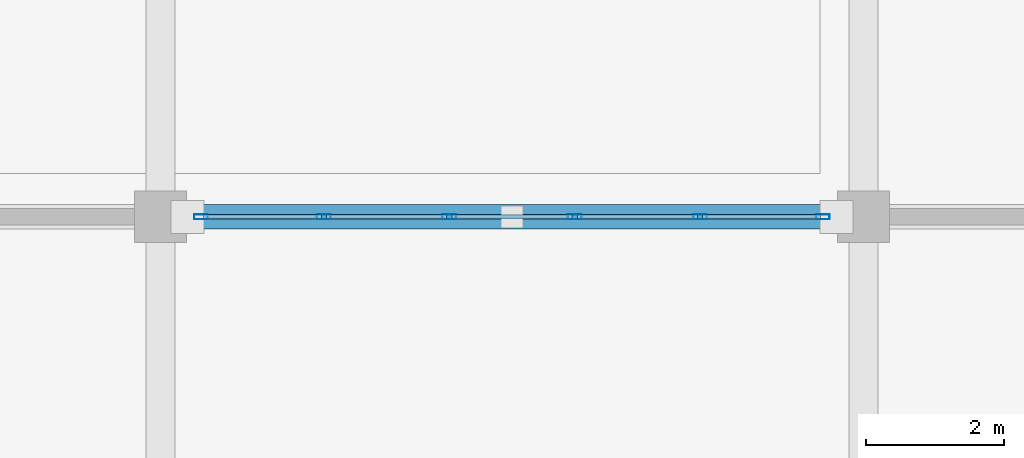
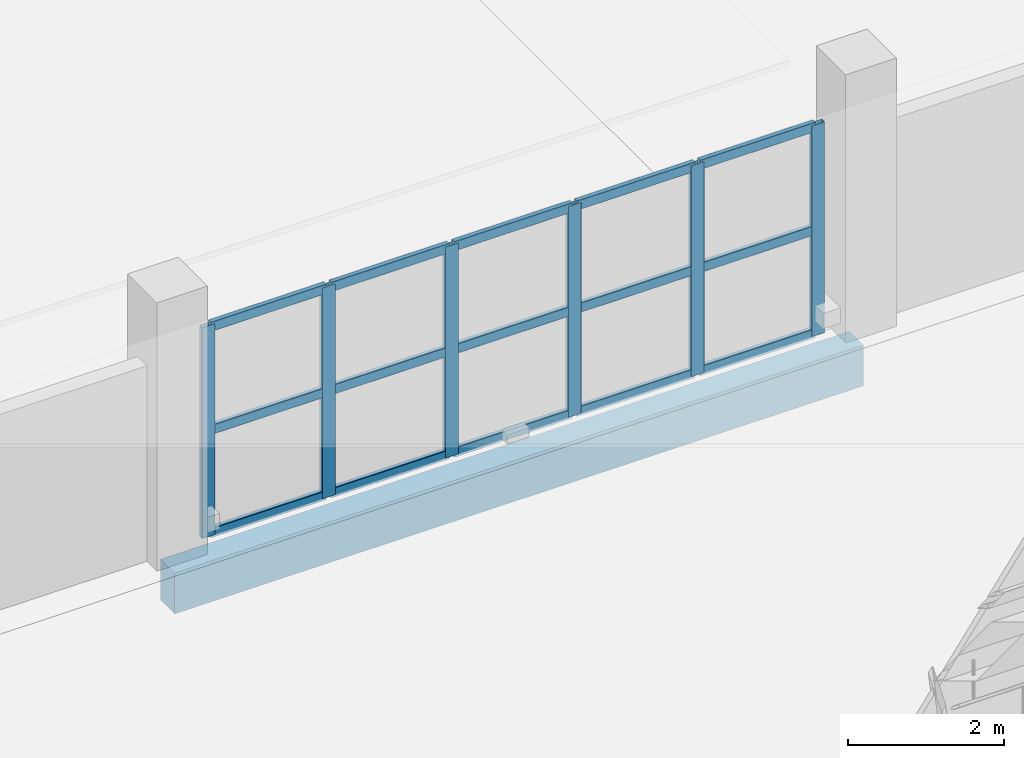
# One storey, part 44 of 157: 21 members, 1 beam, 1 element without a shape of its own.
"""IFC4 building model written with IfcOpenShell, lengths in metres."""

from ifc_helpers import new_model, si_unit, direction, frame, origin, origin_2d, place, context, subcontext, project, spatial, rectangle, hollow_rectangle, extrude, material, material_profile, profile_set, type_object, element, aggregate, save


model = new_model("IFC4")

# Units and contexts
model_context = context("Model", 3, precision=1e-05, world=origin(), true_north=direction((0.0, 1.0)))
body_context = subcontext(model_context, "Body", "Model", "MODEL_VIEW")
ifc_project = project(units=[si_unit("LENGTHUNIT", "METRE"), si_unit("AREAUNIT", "SQUARE_METRE"), si_unit("VOLUMEUNIT", "CUBIC_METRE"), si_unit("PLANEANGLEUNIT", "RADIAN"), si_unit("MASSUNIT", "GRAM", prefix="KILO")], contexts=[model_context])

# Site, building, storey
site_placement = place(None, origin())
site = spatial("IfcSite", under=ifc_project, at=site_placement, CompositionType="ELEMENT")
building_placement = place(site_placement, origin())
building = spatial("IfcBuilding", under=site, at=building_placement, Name="Brelvane Convention Centre", CompositionType="ELEMENT")
storey_placement = place(building_placement, frame((0.0, 0.0, 10.800048828125)))
storey = spatial("IfcBuildingStorey", under=building, at=storey_placement, Name="L02", CompositionType="ELEMENT", Elevation=10.800048828125)

# Curtain wall, members
ifc_material_1 = material(Name="Anodised Aluminium Alloy 6063-T6", Category="aluminium")
curtain_wall_type = type_object("IfcCurtainWallType", Name="Curtain Wall CW-COURT", PredefinedType="USERDEFINED", material=ifc_material_1)
curtain_wall_placement = place(storey_placement, origin())
curtain_wall = element("IfcCurtainWall", 1, at=curtain_wall_placement, inside=storey, type_object=curtain_wall_type, Name="Curtain Wall CW-COURT L02-V4S-09", ObjectType="UNITISED", PredefinedType="USERDEFINED")
ifc_material_2 = material(Name="Anodised Aluminium Alloy 6063-T6", Category="aluminium")
ifc_material_profile_1 = material_profile(ifc_material_2, hollow_rectangle(XDim=0.074951171875, YDim=0.199951171875, WallThickness=0.0048828125, InnerFilletRadius=0.0048828125, OuterFilletRadius=0.010009765625, at=origin_2d()), Name="ALU-M 200x75x5.0")
ifc_profile_set_1 = profile_set([ifc_material_profile_1], Name="Anodised Aluminium Alloy 6063-T6")
member_type_1 = type_object("IfcMemberType", Name="Curtain Mullion CW-M2", PredefinedType="MULLION", material=ifc_profile_set_1)
member_1_placement = place(storey_placement, frame((82.1875, 109.199951171875, 0.0), z_axis=(0.0, 0.0, 1.0), x_axis=(0.0, 1.0, 0.0)))
member_1 = element("IfcMember", 2, at=member_1_placement, type_object=member_type_1, Name="CW-COURT mullion 1", PredefinedType="MULLION", context=body_context, shape_type="SweptSolid", body=[
    extrude(hollow_rectangle(XDim=0.074951171875, YDim=0.199951171875, WallThickness=0.0048828125, InnerFilletRadius=0.0048828125, OuterFilletRadius=0.010009765625, at=origin_2d()), origin(), (0.0, 0.0, 1.0), 3.300048828125),
])
member_2_placement = place(storey_placement, frame((83.969970703125, 109.199951171875, 0.0), z_axis=(0.0, 0.0, 1.0), x_axis=(0.0, 1.0, 0.0)))
member_2 = element("IfcMember", 3, at=member_2_placement, type_object=member_type_1, Name="CW-COURT mullion 2", PredefinedType="MULLION", context=body_context, shape_type="SweptSolid", body=[
    extrude(hollow_rectangle(XDim=0.074951171875, YDim=0.199951171875, WallThickness=0.0048828125, InnerFilletRadius=0.0048828125, OuterFilletRadius=0.010009765625, at=origin_2d()), origin(), (0.0, 0.0, 1.0), 3.300048828125),
])
member_3_placement = place(storey_placement, frame((85.7900390625, 109.199951171875, 0.0), z_axis=(0.0, 0.0, 1.0), x_axis=(0.0, 1.0, 0.0)))
member_3 = element("IfcMember", 4, at=member_3_placement, type_object=member_type_1, Name="CW-COURT mullion 3", PredefinedType="MULLION", context=body_context, shape_type="SweptSolid", body=[
    extrude(hollow_rectangle(XDim=0.074951171875, YDim=0.199951171875, WallThickness=0.0048828125, InnerFilletRadius=0.0048828125, OuterFilletRadius=0.010009765625, at=origin_2d()), origin(), (0.0, 0.0, 1.0), 3.300048828125),
])
member_4_placement = place(storey_placement, frame((87.610107421875, 109.199951171875, 0.0), z_axis=(0.0, 0.0, 1.0), x_axis=(0.0, 1.0, 0.0)))
member_4 = element("IfcMember", 5, at=member_4_placement, type_object=member_type_1, Name="CW-COURT mullion 4", PredefinedType="MULLION", context=body_context, shape_type="SweptSolid", body=[
    extrude(hollow_rectangle(XDim=0.074951171875, YDim=0.199951171875, WallThickness=0.0048828125, InnerFilletRadius=0.0048828125, OuterFilletRadius=0.010009765625, at=origin_2d()), origin(), (0.0, 0.0, 1.0), 3.300048828125),
])
member_5_placement = place(storey_placement, frame((89.429931640625, 109.199951171875, 0.0), z_axis=(0.0, 0.0, 1.0), x_axis=(0.0, 1.0, 0.0)))
member_5 = element("IfcMember", 6, at=member_5_placement, type_object=member_type_1, Name="CW-COURT mullion 5", PredefinedType="MULLION", context=body_context, shape_type="SweptSolid", body=[
    extrude(hollow_rectangle(XDim=0.074951171875, YDim=0.199951171875, WallThickness=0.0048828125, InnerFilletRadius=0.0048828125, OuterFilletRadius=0.010009765625, at=origin_2d()), origin(), (0.0, 0.0, 1.0), 3.300048828125),
])
member_6_placement = place(storey_placement, frame((91.21240234375, 109.199951171875, 0.0), z_axis=(0.0, 0.0, 1.0), x_axis=(0.0, 1.0, 0.0)))
member_6 = element("IfcMember", 7, at=member_6_placement, type_object=member_type_1, Name="CW-COURT mullion 6", PredefinedType="MULLION", context=body_context, shape_type="SweptSolid", body=[
    extrude(hollow_rectangle(XDim=0.074951171875, YDim=0.199951171875, WallThickness=0.0048828125, InnerFilletRadius=0.0048828125, OuterFilletRadius=0.010009765625, at=origin_2d()), origin(), (0.0, 0.0, 1.0), 3.300048828125),
])
ifc_material_3 = material(Name="Anodised Aluminium Alloy 6063-T6", Category="aluminium")
ifc_material_profile_2 = material_profile(ifc_material_3, hollow_rectangle(XDim=0.070068359375, YDim=0.14990234375, WallThickness=0.00439453125, InnerFilletRadius=0.00439453125, OuterFilletRadius=0.009033203125, at=origin_2d()), Name="ALU-T 150x70x4.5")
ifc_profile_set_2 = profile_set([ifc_material_profile_2], Name="Anodised Aluminium Alloy 6063-T6")
member_type_2 = type_object("IfcMemberType", Name="Curtain Transom CW-T2", PredefinedType="USERDEFINED", material=ifc_profile_set_2)
member_7_placement = place(storey_placement, frame((82.22509765625, 109.199951171875, 0.034912109375), z_axis=(1.0, 0.0, 0.0), x_axis=(0.0, 1.0, 0.0)))
member_7 = element("IfcMember", 8, at=member_7_placement, type_object=member_type_2, Name="CW-COURT transom 1.1", ObjectType="TRANSOM", PredefinedType="USERDEFINED", context=body_context, shape_type="SweptSolid", body=[
    extrude(hollow_rectangle(XDim=0.070068359375, YDim=0.14990234375, WallThickness=0.00439453125, InnerFilletRadius=0.00439453125, OuterFilletRadius=0.009033203125, at=origin_2d()), origin(), (0.0, 0.0, 1.0), 1.70751953125),
])
member_8_placement = place(storey_placement, frame((82.22509765625, 109.199951171875, 1.64990234375), z_axis=(1.0, 0.0, 0.0), x_axis=(0.0, 1.0, 0.0)))
member_8 = element("IfcMember", 9, at=member_8_placement, type_object=member_type_2, Name="CW-COURT transom 1.2", ObjectType="TRANSOM", PredefinedType="USERDEFINED", context=body_context, shape_type="SweptSolid", body=[
    extrude(hollow_rectangle(XDim=0.070068359375, YDim=0.14990234375, WallThickness=0.00439453125, InnerFilletRadius=0.00439453125, OuterFilletRadius=0.009033203125, at=origin_2d()), origin(), (0.0, 0.0, 1.0), 1.70751953125),
])
member_9_placement = place(storey_placement, frame((82.22509765625, 109.199951171875, 3.264892578125), z_axis=(1.0, 0.0, 0.0), x_axis=(0.0, 1.0, 0.0)))
member_9 = element("IfcMember", 10, at=member_9_placement, type_object=member_type_2, Name="CW-COURT transom 1.3", ObjectType="TRANSOM", PredefinedType="USERDEFINED", context=body_context, shape_type="SweptSolid", body=[
    extrude(hollow_rectangle(XDim=0.070068359375, YDim=0.14990234375, WallThickness=0.00439453125, InnerFilletRadius=0.00439453125, OuterFilletRadius=0.009033203125, at=origin_2d()), origin(), (0.0, 0.0, 1.0), 1.70751953125),
])
member_10_placement = place(storey_placement, frame((84.007568359375, 109.199951171875, 0.034912109375), z_axis=(1.0, 0.0, 0.0), x_axis=(0.0, 1.0, 0.0)))
member_10 = element("IfcMember", 11, at=member_10_placement, type_object=member_type_2, Name="CW-COURT transom 2.1", ObjectType="TRANSOM", PredefinedType="USERDEFINED", context=body_context, shape_type="SweptSolid", body=[
    extrude(hollow_rectangle(XDim=0.070068359375, YDim=0.14990234375, WallThickness=0.00439453125, InnerFilletRadius=0.00439453125, OuterFilletRadius=0.009033203125, at=origin_2d()), origin(), (0.0, 0.0, 1.0), 1.744873046875),
])
member_11_placement = place(storey_placement, frame((84.007568359375, 109.199951171875, 1.64990234375), z_axis=(1.0, 0.0, 0.0), x_axis=(0.0, 1.0, 0.0)))
member_11 = element("IfcMember", 12, at=member_11_placement, type_object=member_type_2, Name="CW-COURT transom 2.2", ObjectType="TRANSOM", PredefinedType="USERDEFINED", context=body_context, shape_type="SweptSolid", body=[
    extrude(hollow_rectangle(XDim=0.070068359375, YDim=0.14990234375, WallThickness=0.00439453125, InnerFilletRadius=0.00439453125, OuterFilletRadius=0.009033203125, at=origin_2d()), origin(), (0.0, 0.0, 1.0), 1.744873046875),
])
member_12_placement = place(storey_placement, frame((84.007568359375, 109.199951171875, 3.264892578125), z_axis=(1.0, 0.0, 0.0), x_axis=(0.0, 1.0, 0.0)))
member_12 = element("IfcMember", 13, at=member_12_placement, type_object=member_type_2, Name="CW-COURT transom 2.3", ObjectType="TRANSOM", PredefinedType="USERDEFINED", context=body_context, shape_type="SweptSolid", body=[
    extrude(hollow_rectangle(XDim=0.070068359375, YDim=0.14990234375, WallThickness=0.00439453125, InnerFilletRadius=0.00439453125, OuterFilletRadius=0.009033203125, at=origin_2d()), origin(), (0.0, 0.0, 1.0), 1.744873046875),
])
member_13_placement = place(storey_placement, frame((85.827392578125, 109.199951171875, 0.034912109375), z_axis=(1.0, 0.0, 0.0), x_axis=(0.0, 1.0, 0.0)))
member_13 = element("IfcMember", 14, at=member_13_placement, type_object=member_type_2, Name="CW-COURT transom 3.1", ObjectType="TRANSOM", PredefinedType="USERDEFINED", context=body_context, shape_type="SweptSolid", body=[
    extrude(hollow_rectangle(XDim=0.070068359375, YDim=0.14990234375, WallThickness=0.00439453125, InnerFilletRadius=0.00439453125, OuterFilletRadius=0.009033203125, at=origin_2d()), origin(), (0.0, 0.0, 1.0), 1.7451171875),
])
member_14_placement = place(storey_placement, frame((85.827392578125, 109.199951171875, 1.64990234375), z_axis=(1.0, 0.0, 0.0), x_axis=(0.0, 1.0, 0.0)))
member_14 = element("IfcMember", 15, at=member_14_placement, type_object=member_type_2, Name="CW-COURT transom 3.2", ObjectType="TRANSOM", PredefinedType="USERDEFINED", context=body_context, shape_type="SweptSolid", body=[
    extrude(hollow_rectangle(XDim=0.070068359375, YDim=0.14990234375, WallThickness=0.00439453125, InnerFilletRadius=0.00439453125, OuterFilletRadius=0.009033203125, at=origin_2d()), origin(), (0.0, 0.0, 1.0), 1.7451171875),
])
member_15_placement = place(storey_placement, frame((85.827392578125, 109.199951171875, 3.264892578125), z_axis=(1.0, 0.0, 0.0), x_axis=(0.0, 1.0, 0.0)))
member_15 = element("IfcMember", 16, at=member_15_placement, type_object=member_type_2, Name="CW-COURT transom 3.3", ObjectType="TRANSOM", PredefinedType="USERDEFINED", context=body_context, shape_type="SweptSolid", body=[
    extrude(hollow_rectangle(XDim=0.070068359375, YDim=0.14990234375, WallThickness=0.00439453125, InnerFilletRadius=0.00439453125, OuterFilletRadius=0.009033203125, at=origin_2d()), origin(), (0.0, 0.0, 1.0), 1.7451171875),
])
member_16_placement = place(storey_placement, frame((87.6474609375, 109.199951171875, 0.034912109375), z_axis=(1.0, 0.0, 0.0), x_axis=(0.0, 1.0, 0.0)))
member_16 = element("IfcMember", 17, at=member_16_placement, type_object=member_type_2, Name="CW-COURT transom 4.1", ObjectType="TRANSOM", PredefinedType="USERDEFINED", context=body_context, shape_type="SweptSolid", body=[
    extrude(hollow_rectangle(XDim=0.070068359375, YDim=0.14990234375, WallThickness=0.00439453125, InnerFilletRadius=0.00439453125, OuterFilletRadius=0.009033203125, at=origin_2d()), origin(), (0.0, 0.0, 1.0), 1.7451171875),
])
member_17_placement = place(storey_placement, frame((87.6474609375, 109.199951171875, 1.64990234375), z_axis=(1.0, 0.0, 0.0), x_axis=(0.0, 1.0, 0.0)))
member_17 = element("IfcMember", 18, at=member_17_placement, type_object=member_type_2, Name="CW-COURT transom 4.2", ObjectType="TRANSOM", PredefinedType="USERDEFINED", context=body_context, shape_type="SweptSolid", body=[
    extrude(hollow_rectangle(XDim=0.070068359375, YDim=0.14990234375, WallThickness=0.00439453125, InnerFilletRadius=0.00439453125, OuterFilletRadius=0.009033203125, at=origin_2d()), origin(), (0.0, 0.0, 1.0), 1.7451171875),
])
member_18_placement = place(storey_placement, frame((87.6474609375, 109.199951171875, 3.264892578125), z_axis=(1.0, 0.0, 0.0), x_axis=(0.0, 1.0, 0.0)))
member_18 = element("IfcMember", 19, at=member_18_placement, type_object=member_type_2, Name="CW-COURT transom 4.3", ObjectType="TRANSOM", PredefinedType="USERDEFINED", context=body_context, shape_type="SweptSolid", body=[
    extrude(hollow_rectangle(XDim=0.070068359375, YDim=0.14990234375, WallThickness=0.00439453125, InnerFilletRadius=0.00439453125, OuterFilletRadius=0.009033203125, at=origin_2d()), origin(), (0.0, 0.0, 1.0), 1.7451171875),
])
member_19_placement = place(storey_placement, frame((89.467529296875, 109.199951171875, 0.034912109375), z_axis=(1.0, 0.0, 0.0), x_axis=(0.0, 1.0, 0.0)))
member_19 = element("IfcMember", 20, at=member_19_placement, type_object=member_type_2, Name="CW-COURT transom 5.1", ObjectType="TRANSOM", PredefinedType="USERDEFINED", context=body_context, shape_type="SweptSolid", body=[
    extrude(hollow_rectangle(XDim=0.070068359375, YDim=0.14990234375, WallThickness=0.00439453125, InnerFilletRadius=0.00439453125, OuterFilletRadius=0.009033203125, at=origin_2d()), origin(), (0.0, 0.0, 1.0), 1.70751953125),
])
member_20_placement = place(storey_placement, frame((89.467529296875, 109.199951171875, 1.64990234375), z_axis=(1.0, 0.0, 0.0), x_axis=(0.0, 1.0, 0.0)))
member_20 = element("IfcMember", 21, at=member_20_placement, type_object=member_type_2, Name="CW-COURT transom 5.2", ObjectType="TRANSOM", PredefinedType="USERDEFINED", context=body_context, shape_type="SweptSolid", body=[
    extrude(hollow_rectangle(XDim=0.070068359375, YDim=0.14990234375, WallThickness=0.00439453125, InnerFilletRadius=0.00439453125, OuterFilletRadius=0.009033203125, at=origin_2d()), origin(), (0.0, 0.0, 1.0), 1.70751953125),
])
member_21_placement = place(storey_placement, frame((89.467529296875, 109.199951171875, 3.264892578125), z_axis=(1.0, 0.0, 0.0), x_axis=(0.0, 1.0, 0.0)))
member_21 = element("IfcMember", 22, at=member_21_placement, type_object=member_type_2, Name="CW-COURT transom 5.3", ObjectType="TRANSOM", PredefinedType="USERDEFINED", context=body_context, shape_type="SweptSolid", body=[
    extrude(hollow_rectangle(XDim=0.070068359375, YDim=0.14990234375, WallThickness=0.00439453125, InnerFilletRadius=0.00439453125, OuterFilletRadius=0.009033203125, at=origin_2d()), origin(), (0.0, 0.0, 1.0), 1.70751953125),
])
aggregate(curtain_wall, [member_1, member_2, member_3, member_4, member_5, member_6, member_7, member_8, member_9, member_10, member_11, member_12, member_13, member_14, member_15, member_16, member_17, member_18, member_19, member_20, member_21])

# Beam
ifc_material_4 = material(Name="Concrete M40", Category="concrete")
ifc_material_profile_3 = material_profile(ifc_material_4, rectangle(XDim=0.360107421875, YDim=0.639892578125, at=origin_2d()), Name="RC 360x640")
ifc_profile_set_3 = profile_set([ifc_material_profile_3], Name="Concrete M40")
beam_type = type_object("IfcBeamType", Name="RC Spandrel SP-RC3 (RC 360x640)", PredefinedType="SPANDREL", material=ifc_profile_set_3)
beam_placement = place(storey_placement, frame((81.60009765625, 109.199951171875, -0.60009765625), z_axis=(1.0, 0.0, 0.0), x_axis=(0.0, 1.0, 0.0)))
element("IfcBeam", 23, at=beam_placement, inside=storey, type_object=beam_type, Name="L02 Beam 9-10/L", PredefinedType="SPANDREL", context=body_context, shape_type="SweptSolid", body=[
    extrude(rectangle(XDim=0.360107421875, YDim=0.639892578125, at=origin_2d()), origin(), (0.0, 0.0, 1.0), 10.199951171875),
])

save(model, "model.ifc")
